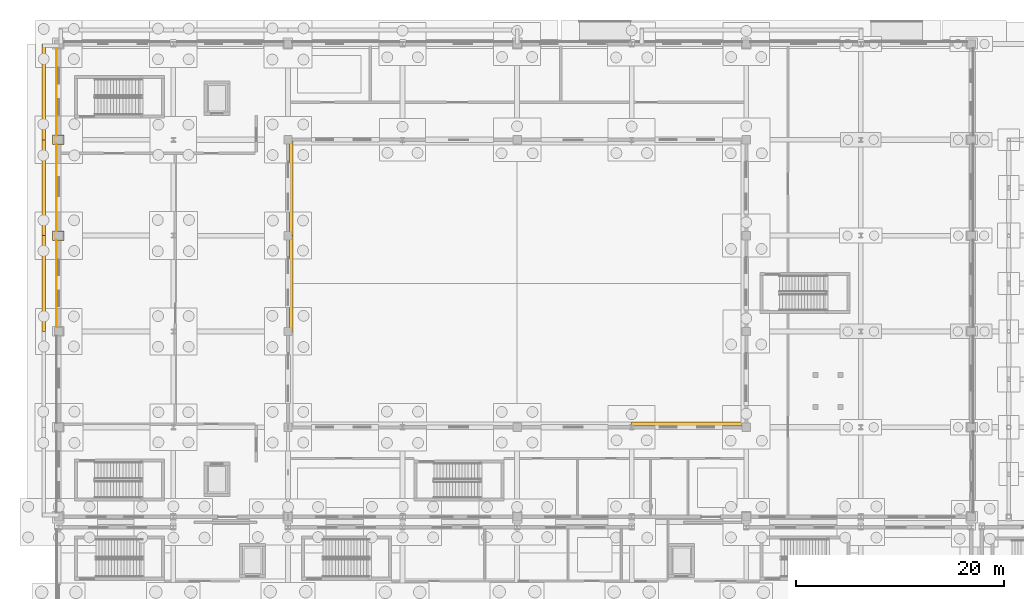
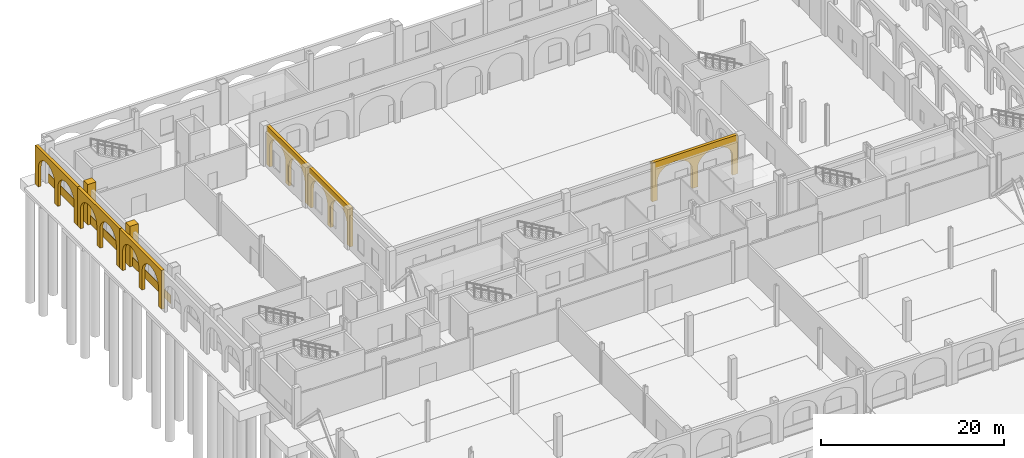
# One storey, part 70 of 83: 11 coverings.
"""IFC4 building model written with IfcOpenShell, lengths in metres."""

import ifcopenshell
import ifcopenshell.guid

model = None  # the IFC model being written
_history = None  # IfcOwnerHistory: only IFC2X3 demands one
_inside = {}  # id of a spatial element -> (the spatial element, [elements in it])
_under = {}  # id of a project, library or spatial element -> (it, [spatial elements below it])
_declared = {}  # id of a project -> (the project, [libraries it declares])
_typed = {}  # id of a type object -> (the type object, [elements of that type])
_made_of = {}  # id of a material, layer set ... -> (it, [elements and type objects made of it])


def new_model(schema):
    """Start an empty IFC model of exactly this schema.

    Asked for "IFC4X3", IfcOpenShell would pick the latest addendum, in which some entities
    have other attributes; the version numbers below select the first issue.
    IFC2X3 requires an IfcOwnerHistory on every rooted entity: one is made here for all.
    """
    global model, _history
    if schema == "IFC4X3":
        model = ifcopenshell.file(schema_version=(4, 3, 0, 0))
    else:
        model = ifcopenshell.file(schema=schema)
    _inside.clear()
    _under.clear()
    _declared.clear()
    _typed.clear()
    _made_of.clear()
    _history = None
    if model.schema == "IFC2X3":
        org = make("IfcOrganization", Name="unknown")
        user = make(
            "IfcPersonAndOrganization",
            ThePerson=make("IfcPerson", FamilyName="unknown"),
            TheOrganization=org,
        )
        app = make(
            "IfcApplication",
            ApplicationDeveloper=org,
            Version="unknown",
            ApplicationFullName="unknown",
            ApplicationIdentifier="unknown",
        )
        _history = make(
            "IfcOwnerHistory",
            OwningUser=user,
            OwningApplication=app,
            ChangeAction="ADDED",
            CreationDate=0,
        )
    return model


def make(cls, **values):
    """One entity of the class cls with the attributes given. An attribute that is None is left unset."""
    return model.create_entity(
        cls, **{name: value for name, value in values.items() if value is not None}
    )


def rooted(cls, **values):
    """An entity with a GlobalId (a new one), such as an element, a storey or a relation."""
    return make(cls, GlobalId=ifcopenshell.guid.new(), OwnerHistory=_history, **values)


def si_unit(unit_type, name, prefix=None):
    """IfcSIUnit, for example si_unit("LENGTHUNIT", "METRE", prefix="MILLI")."""
    return make("IfcSIUnit", UnitType=unit_type, Prefix=prefix, Name=name)


def assignment(units):
    """IfcUnitAssignment: the units of a project."""
    return None if units is None else make("IfcUnitAssignment", Units=units)


def point(xyz):
    """IfcCartesianPoint."""
    return None if xyz is None else make("IfcCartesianPoint", Coordinates=xyz)


def direction(xyz):
    """IfcDirection."""
    return None if xyz is None else make("IfcDirection", DirectionRatios=xyz)


def frame(location, z_axis=None, x_axis=None):
    """IfcAxis2Placement3D, a coordinate frame: its origin and axes. An axis left out is left unset."""
    return make(
        "IfcAxis2Placement3D",
        Location=point(location),
        Axis=direction(z_axis),
        RefDirection=direction(x_axis),
    )


def frame_2d(location, x_axis=None):
    """IfcAxis2Placement2D, a coordinate frame in the plane: its origin and x axis."""
    return make(
        "IfcAxis2Placement2D", Location=point(location), RefDirection=direction(x_axis)
    )


def origin():
    """The frame at (0, 0, 0) with its axes left unset."""
    return frame((0.0, 0.0, 0.0))


def origin_2d():
    """The frame at (0, 0) in the plane with its x axis left unset."""
    return frame_2d((0.0, 0.0))


def place(relative_to, where):
    """IfcLocalPlacement: puts the frame where relative to a parent placement (None: the world)."""
    return make(
        "IfcLocalPlacement", PlacementRelTo=relative_to, RelativePlacement=where
    )


def context(
    kind, dimensions, precision=None, world=None, true_north=None, identifier=None
):
    """IfcGeometricRepresentationContext, for example the 3D "Model" context."""
    return make(
        "IfcGeometricRepresentationContext",
        ContextIdentifier=identifier,
        ContextType=kind,
        CoordinateSpaceDimension=dimensions,
        Precision=precision,
        WorldCoordinateSystem=world,
        TrueNorth=true_north,
    )


def subcontext(parent, identifier, kind, view, scale=None):
    """IfcGeometricRepresentationSubContext, for example "Body" below "Model"."""
    return make(
        "IfcGeometricRepresentationSubContext",
        ContextIdentifier=identifier,
        ContextType=kind,
        ParentContext=parent,
        TargetScale=scale,
        TargetView=view,
    )


def project(units=None, contexts=None):
    """IfcProject with its units and contexts."""
    return rooted(
        "IfcProject",
        Name="project",
        RepresentationContexts=contexts,
        UnitsInContext=assignment(units),
    )


def spatial(cls, under=None, at=None, **own):
    """A site, building, storey or space (cls), placed at a placement, below another one or the project."""
    s = rooted(cls, ObjectPlacement=at, **own)
    if under is not None:
        _under.setdefault(under.id(), (under, []))[1].append(s)
    return s


def polyline(points):
    """IfcPolyline through the points."""
    return make("IfcPolyline", Points=[point(p) for p in points])


def profile(cls, at=None, kind="AREA", **sizes):
    """A parametric profile (cls). Its sizes go by their IFC names, for example OverallWidth=200.0."""
    return make(cls, ProfileType=kind, Position=at, **sizes)


def rectangle(**sizes):
    """IfcRectangleProfileDef."""
    return profile("IfcRectangleProfileDef", **sizes)


def outline(outer, holes=None, kind="AREA"):
    """IfcArbitraryClosedProfileDef: a profile drawn as a closed curve; with holes, ...WithVoids."""
    if holes is None:
        return make("IfcArbitraryClosedProfileDef", ProfileType=kind, OuterCurve=outer)
    return make(
        "IfcArbitraryProfileDefWithVoids",
        ProfileType=kind,
        OuterCurve=outer,
        InnerCurves=holes,
    )


def extrude(swept, where, along, depth):
    """IfcExtrudedAreaSolid: the profile swept, set in the frame where, extruded along a direction by depth."""
    return make(
        "IfcExtrudedAreaSolid",
        SweptArea=swept,
        Position=where,
        ExtrudedDirection=direction(along),
        Depth=depth,
    )


def shape(context_of_items, identifier, shape_type, items):
    """IfcShapeRepresentation: the items that make up one representation, for example the "Body"."""
    return make(
        "IfcShapeRepresentation",
        ContextOfItems=context_of_items,
        RepresentationIdentifier=identifier,
        RepresentationType=shape_type,
        Items=items,
    )


def material(Name=None, Category=None):
    """IfcMaterial."""
    return make("IfcMaterial", Name=Name, Category=Category)


def layer(
    of_material, thickness, ventilated=None, Name=None, Category=None, Priority=None
):
    """IfcMaterialLayer: one layer of a wall or slab, of a material (None: an air gap)."""
    return make(
        "IfcMaterialLayer",
        Material=of_material,
        LayerThickness=thickness,
        IsVentilated=ventilated,
        Name=Name,
        Category=Category,
        Priority=Priority,
    )


def layer_set(layers, Name=None):
    """IfcMaterialLayerSet."""
    return make("IfcMaterialLayerSet", MaterialLayers=layers, LayerSetName=Name)


def made_of(thing, what):
    """Note that an element or type object is made of a material, layer set ...; save() writes the relation."""
    if what is not None:
        _made_of.setdefault(what.id(), (what, []))[1].append(thing)
    return thing


def type_object(cls, material=None, **own):
    """A type object (cls), such as IfcWallType, which elements share."""
    return made_of(rooted(cls, **own), material)


def element(
    cls,
    number,
    at=None,
    inside=None,
    cuts=None,
    type_object=None,
    material=None,
    context=None,
    identifier="Body",
    shape_type=None,
    held_by="IfcProductDefinitionShape",
    body=None,
    shapes=None,
    **own,
):
    """One element of the class cls, such as IfcWall. Its Tag is "e" and its number.

    at: its placement. inside: the storey or other place that contains it. cuts: it is an
    opening in that element (IfcRelVoidsElement). A single representation is given by context,
    identifier, shape_type and body (its items); several are given by shapes. held_by: the class
    of the entity that holds the representations. save() writes the other relations.
    """
    e = rooted(cls, Tag="e%d" % number, ObjectPlacement=at, **own)
    if body is not None:
        shapes = [shape(context, identifier, shape_type, body)]
    if shapes is not None:
        e.Representation = make(held_by, Representations=shapes)
    if inside is not None:
        _inside.setdefault(inside.id(), (inside, []))[1].append(e)
    if cuts is not None:
        rooted(
            "IfcRelVoidsElement", RelatingBuildingElement=cuts, RelatedOpeningElement=e
        )
    if type_object is not None:
        _typed.setdefault(type_object.id(), (type_object, []))[1].append(e)
    return made_of(e, material)


def aggregate(whole, parts):
    """IfcRelAggregates: a whole, such as a stair, and the parts it consists of."""
    return rooted("IfcRelAggregates", RelatingObject=whole, RelatedObjects=parts)


def save(model, path):
    """Write the relations noted so far, then the file.

    IfcRelAggregates (storeys below a building ...), IfcRelContainedInSpatialStructure (elements
    in a storey), IfcRelDefinesByType, IfcRelAssociatesMaterial and IfcRelDeclares: one each for
    every whole, place, type object, material and project.
    """
    for whole, parts in _under.values():
        aggregate(whole, parts)
    for where, things in _inside.values():
        rooted(
            "IfcRelContainedInSpatialStructure",
            RelatedElements=things,
            RelatingStructure=where,
        )
    for kind, things in _typed.values():
        rooted("IfcRelDefinesByType", RelatedObjects=things, RelatingType=kind)
    for what, things in _made_of.values():
        rooted("IfcRelAssociatesMaterial", RelatedObjects=things, RelatingMaterial=what)
    for by, libraries in _declared.values():
        rooted("IfcRelDeclares", RelatingContext=by, RelatedDefinitions=libraries)
    model.write(path)


model = new_model("IFC4")

# Units and contexts
model_context = context("Model", 3, precision=1e-05, world=origin(), true_north=direction((0.0, 1.0)))
body_context = subcontext(model_context, "Body", "Model", "MODEL_VIEW")
ifc_project = project(units=[si_unit("LENGTHUNIT", "METRE"), si_unit("AREAUNIT", "SQUARE_METRE"), si_unit("VOLUMEUNIT", "CUBIC_METRE"), si_unit("PLANEANGLEUNIT", "RADIAN"), si_unit("MASSUNIT", "GRAM", prefix="KILO")], contexts=[model_context])

# Site, building, storey
site_placement = place(None, origin())
site = spatial("IfcSite", under=ifc_project, at=site_placement, CompositionType="ELEMENT")
building_placement = place(site_placement, origin())
building = spatial("IfcBuilding", under=site, at=building_placement, Name="Caurita Quay Ferry Terminal", CompositionType="ELEMENT")
storey_placement = place(building_placement, origin())
storey = spatial("IfcBuildingStorey", under=building, at=storey_placement, Name="L00", CompositionType="ELEMENT", Elevation=0.0)

# Coverings
ifc_material_1 = material(Name="Warm-white lime stucco masonry", Category="masonry")
ifc_layer_1 = layer(ifc_material_1, 0.360107421875, Name="Spanish Colonial semicircular lime-stucco portales arcade 360 mm")
ifc_layer_set_1 = layer_set([ifc_layer_1], Name="Warm-white lime stucco masonry")
covering_type_1 = type_object("IfcCoveringType", Name="COV-ARC-CLD", PredefinedType="CLADDING", material=ifc_layer_set_1)
covering_1_placement = place(storey_placement, frame((-1.449951171875, 98.60009765625, 0.0), z_axis=(0.0, 0.0, 1.0), x_axis=(0.0, -1.0, 0.0)))
element("IfcCovering", 1, at=covering_1_placement, inside=storey, type_object=covering_type_1, Name="West Quay Portales Colonnade 013", PredefinedType="CLADDING", context=body_context, shape_type="SweptSolid", body=[
    extrude(outline(polyline([(0.0, 0.0), (0.679931640625, 0.0), (0.679931640625, 2.550048828125), (0.740966796875, 3.0029296875), (0.919921875, 3.425048828125), (1.204345703125, 3.787353515625), (1.574951171875, 4.0654296875), (2.0068359375, 4.240478515625), (2.469970703125, 4.300048828125), (2.933349609375, 4.240478515625), (3.364990234375, 4.0654296875), (3.73583984375, 3.787353515625), (4.020263671875, 3.425048828125), (4.19921875, 3.0029296875), (4.260009765625, 2.550048828125), (4.260009765625, 0.0), (4.940185546875, 0.0), (4.940185546875, 2.550048828125), (5.0009765625, 3.0029296875), (5.179931640625, 3.425048828125), (5.46435546875, 3.787353515625), (5.835205078125, 4.0654296875), (6.266845703125, 4.240478515625), (6.730224609375, 4.300048828125), (7.193359375, 4.240478515625), (7.625244140625, 4.0654296875), (7.995849609375, 3.787353515625), (8.2802734375, 3.425048828125), (8.459228515625, 3.0029296875), (8.520263671875, 2.550048828125), (8.520263671875, 0.0), (9.2001953125, 0.0), (9.2001953125, 5.179931640625), (0.0, 5.179931640625), (0.0, 0.0)])), frame((0.0, 0.18017578125, 0.0), z_axis=(0.0, -1.0, 0.0), x_axis=(1.0, 0.0, 0.0)), (0.0, 0.0, 1.0), 0.360107421875),
])
for number, where, z_axis, x_axis, name in (
    (2, (-1.449951171875, 107.800048828125, 0.0), (0.0, 0.0, 1.0), (0.0, -1.0, 0.0), "West Quay Portales Colonnade 014"),
    (3, (-1.449951171875, 117.0, 0.0), (0.0, 0.0, 1.0), (0.0, -1.0, 0.0), "West Quay Portales Colonnade 015"),
):
    element("IfcCovering", number, at=place(storey_placement, frame(where, z_axis=z_axis, x_axis=x_axis)), inside=storey, type_object=covering_type_1, Name=name, PredefinedType="CLADDING", context=body_context, shape_type="SweptSolid", body=[
        extrude(outline(polyline([(0.0, 0.0), (0.679931640625, 0.0), (0.679931640625, 2.550048828125), (0.740966796875, 3.0029296875), (0.919921875, 3.425048828125), (1.204345703125, 3.787353515625), (1.574951171875, 4.0654296875), (2.006591796875, 4.240478515625), (2.469970703125, 4.300048828125), (2.933349609375, 4.240478515625), (3.364990234375, 4.0654296875), (3.735595703125, 3.787353515625), (4.020263671875, 3.425048828125), (4.198974609375, 3.0029296875), (4.260009765625, 2.550048828125), (4.260009765625, 0.0), (4.93994140625, 0.0), (4.93994140625, 2.550048828125), (5.0009765625, 3.0029296875), (5.1796875, 3.425048828125), (5.46435546875, 3.787353515625), (5.8349609375, 4.0654296875), (6.2666015625, 4.240478515625), (6.72998046875, 4.300048828125), (7.193359375, 4.240478515625), (7.625, 4.0654296875), (7.99560546875, 3.787353515625), (8.280029296875, 3.425048828125), (8.458984375, 3.0029296875), (8.52001953125, 2.550048828125), (8.52001953125, 0.0), (9.199951171875, 0.0), (9.199951171875, 5.179931640625), (0.0, 5.179931640625), (0.0, 0.0)])), frame((0.0, 0.18017578125, 0.0), z_axis=(0.0, -1.0, 0.0), x_axis=(1.0, 0.0, 0.0)), (0.0, 0.0, 1.0), 0.360107421875),
    ])
covering_2_placement = place(storey_placement, frame((55.0, 80.52001953125, 0.0), z_axis=(0.0, 0.0, 1.0), x_axis=(1.0, 0.0, 0.0)))
element("IfcCovering", 4, at=covering_2_placement, inside=storey, type_object=covering_type_1, Name="L00 Courtyard South Cloister Arcade 045", PredefinedType="CLADDING", context=body_context, shape_type="SweptSolid", body=[
    extrude(outline(polyline([(0.0, 0.0), (0.679931640625, 0.0), (0.679931640625, 2.550048828125), (0.755126953125, 3.02880859375), (0.97509765625, 3.47509765625), (1.3251953125, 3.858154296875), (1.78125, 4.152099609375), (2.3125, 4.3369140625), (2.882568359375, 4.39990234375), (3.45263671875, 4.3369140625), (3.98388671875, 4.152099609375), (4.43994140625, 3.858154296875), (4.7900390625, 3.47509765625), (5.010009765625, 3.02880859375), (5.0849609375, 2.550048828125), (5.0849609375, 0.0), (5.76513671875, 0.0), (5.76513671875, 2.550048828125), (5.840087890625, 3.02880859375), (6.06005859375, 3.47509765625), (6.41015625, 3.858154296875), (6.8662109375, 4.152099609375), (7.3974609375, 4.3369140625), (7.967529296875, 4.39990234375), (8.53759765625, 4.3369140625), (9.06884765625, 4.152099609375), (9.52490234375, 3.858154296875), (9.875, 3.47509765625), (10.094970703125, 3.02880859375), (10.170166015625, 2.550048828125), (10.170166015625, 0.0), (10.85009765625, 0.0), (10.85009765625, 5.199951171875), (0.0, 5.199951171875), (0.0, 0.0)])), frame((0.0, 0.18017578125, 0.0), z_axis=(0.0, -1.0, 0.0), x_axis=(1.0, 0.0, 0.0)), (0.0, 0.0, 1.0), 0.360107421875),
])
covering_3_placement = place(storey_placement, frame((22.320068359375, 89.39990234375, 0.0), z_axis=(0.0, 0.0, 1.0), x_axis=(0.0, 1.0, 0.0)))
element("IfcCovering", 5, at=covering_3_placement, inside=storey, type_object=covering_type_1, Name="L00 Courtyard West Cloister Arcade 049", PredefinedType="CLADDING", context=body_context, shape_type="SweptSolid", body=[
    extrude(outline(polyline([(0.0, 0.0), (0.64990234375, 0.0), (0.64990234375, 2.550048828125), (0.711669921875, 3.02880859375), (0.892822265625, 3.47509765625), (1.180908203125, 3.858154296875), (1.55615234375, 4.152099609375), (1.993408203125, 4.3369140625), (2.462646484375, 4.39990234375), (2.931640625, 4.3369140625), (3.368896484375, 4.152099609375), (3.744140625, 3.858154296875), (4.0322265625, 3.47509765625), (4.21337890625, 3.02880859375), (4.275146484375, 2.550048828125), (4.275146484375, 0.0), (4.925048828125, 0.0), (4.925048828125, 2.550048828125), (4.98681640625, 3.02880859375), (5.16796875, 3.47509765625), (5.4560546875, 3.858154296875), (5.831298828125, 4.152099609375), (6.2685546875, 4.3369140625), (6.737548828125, 4.39990234375), (7.206787109375, 4.3369140625), (7.64404296875, 4.152099609375), (8.019287109375, 3.858154296875), (8.307373046875, 3.47509765625), (8.488525390625, 3.02880859375), (8.55029296875, 2.550048828125), (8.55029296875, 0.0), (9.2001953125, 0.0), (9.2001953125, 5.199951171875), (0.0, 5.199951171875), (0.0, 0.0)])), frame((0.0, 0.18017578125, 0.0), z_axis=(0.0, -1.0, 0.0), x_axis=(1.0, 0.0, 0.0)), (0.0, 0.0, 1.0), 0.360107421875),
])
covering_4_placement = place(storey_placement, frame((22.320068359375, 98.60009765625, 0.0), z_axis=(0.0, 0.0, 1.0), x_axis=(0.0, 1.0, 0.0)))
element("IfcCovering", 6, at=covering_4_placement, inside=storey, type_object=covering_type_1, Name="L00 Courtyard West Cloister Arcade 051", PredefinedType="CLADDING", context=body_context, shape_type="SweptSolid", body=[
    extrude(outline(polyline([(0.0, 0.0), (0.64990234375, 0.0), (0.64990234375, 2.550048828125), (0.71044921875, 3.02880859375), (0.8876953125, 3.47509765625), (1.169921875, 3.858154296875), (1.537353515625, 4.152099609375), (1.965576171875, 4.3369140625), (2.425048828125, 4.39990234375), (2.88427734375, 4.3369140625), (3.3125, 4.152099609375), (3.679931640625, 3.858154296875), (3.962158203125, 3.47509765625), (4.139404296875, 3.02880859375), (4.199951171875, 2.550048828125), (4.199951171875, 0.0), (4.849853515625, 0.0), (4.849853515625, 2.550048828125), (4.910400390625, 3.02880859375), (5.087646484375, 3.47509765625), (5.369873046875, 3.858154296875), (5.7373046875, 4.152099609375), (6.16552734375, 4.3369140625), (6.624755859375, 4.39990234375), (7.084228515625, 4.3369140625), (7.51220703125, 4.152099609375), (7.8798828125, 3.858154296875), (8.162109375, 3.47509765625), (8.33935546875, 3.02880859375), (8.39990234375, 2.550048828125), (8.39990234375, 0.0), (9.0498046875, 0.0), (9.0498046875, 5.199951171875), (0.0, 5.199951171875), (0.0, 0.0)])), frame((0.0, 0.18017578125, 0.0), z_axis=(0.0, -1.0, 0.0), x_axis=(1.0, 0.0, 0.0)), (0.0, 0.0, 1.0), 0.360107421875),
])
ifc_material_2 = material(Name="Coral stone ashlar cladding", Category="masonry")
ifc_layer_2 = layer(ifc_material_2, 0.054931640625, Name="Rusticated coral-stone basamento plinth cladding 55 mm")
ifc_layer_set_2 = layer_set([ifc_layer_2], Name="Coral stone ashlar cladding")
covering_type_2 = type_object("IfcCoveringType", Name="COV-CORAL-CLD", PredefinedType="CLADDING", material=ifc_layer_set_2)
covering_5_placement = place(storey_placement, frame((-0.215087890625, 98.201904296875, 0.0), z_axis=(0.0, 0.0, 1.0), x_axis=(0.0, -1.0, 0.0)))
element("IfcCovering", 7, at=covering_5_placement, inside=storey, type_object=covering_type_2, Name="Coral-Stone Basamento Cladding 029", PredefinedType="CLADDING", context=body_context, shape_type="SweptSolid", body=[
    extrude(rectangle(XDim=8.40380859375, YDim=0.054931640625, at=frame_2d((4.201904296875, 0.0))), origin(), (0.0, 0.0, 1.0), 1.14990234375),
])
for number, where, z_axis, x_axis, name in (
    (8, (-0.215087890625, 107.402099609375, 0.0), (0.0, 0.0, 1.0), (0.0, -1.0, 0.0), "Coral-Stone Basamento Cladding 030"),
    (9, (-0.215087890625, 116.60205078125, 0.0), (0.0, 0.0, 1.0), (0.0, -1.0, 0.0), "Coral-Stone Basamento Cladding 031"),
):
    element("IfcCovering", number, at=place(storey_placement, frame(where, z_axis=z_axis, x_axis=x_axis)), inside=storey, type_object=covering_type_2, Name=name, PredefinedType="CLADDING", context=body_context, shape_type="SweptSolid", body=[
        extrude(rectangle(XDim=8.404052734375, YDim=0.054931640625, at=frame_2d((4.2021484375, 0.0))), origin(), (0.0, 0.0, 1.0), 1.14990234375),
    ])
ifc_layer_3 = layer(ifc_material_1, 0.179931640625, Name="Classical engaged lime-stucco facade pilaster cladding 180 mm")
ifc_layer_set_3 = layer_set([ifc_layer_3], Name="Warm-white lime stucco masonry")
covering_type_3 = type_object("IfcCoveringType", Name="COV-PIL-CLD", PredefinedType="CLADDING", material=ifc_layer_set_3)
for number, where, z_axis, x_axis, name in (
    (10, (-0.050048828125, 98.60009765625, 0.0), (0.0, 0.0, 1.0), (1.0, 0.0, 0.0), "L00 Classical Engaged Pilaster 0281"),
    (11, (-0.050048828125, 107.800048828125, 0.0), (0.0, 0.0, 1.0), (1.0, 0.0, 0.0), "L00 Classical Engaged Pilaster 0286"),
):
    element("IfcCovering", number, at=place(storey_placement, frame(where, z_axis=z_axis, x_axis=x_axis)), inside=storey, type_object=covering_type_3, Name=name, PredefinedType="CLADDING", context=body_context, shape_type="SweptSolid", body=[
        extrude(rectangle(XDim=1.080078125, YDim=0.919921875, at=origin_2d()), origin(), (0.0, 0.0, 1.0), 5.39990234375),
    ])

save(model, "model.ifc")
